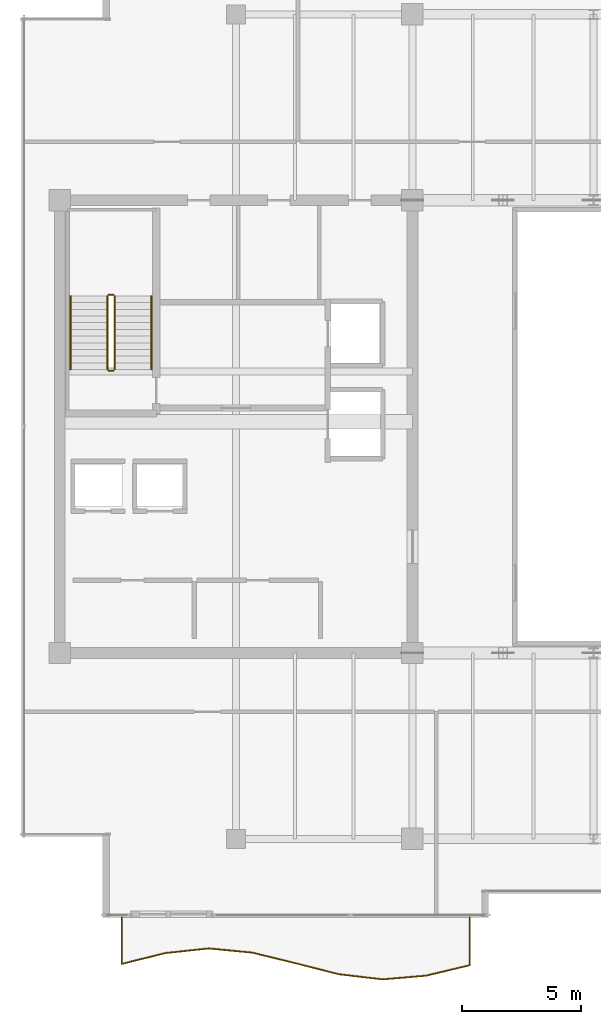
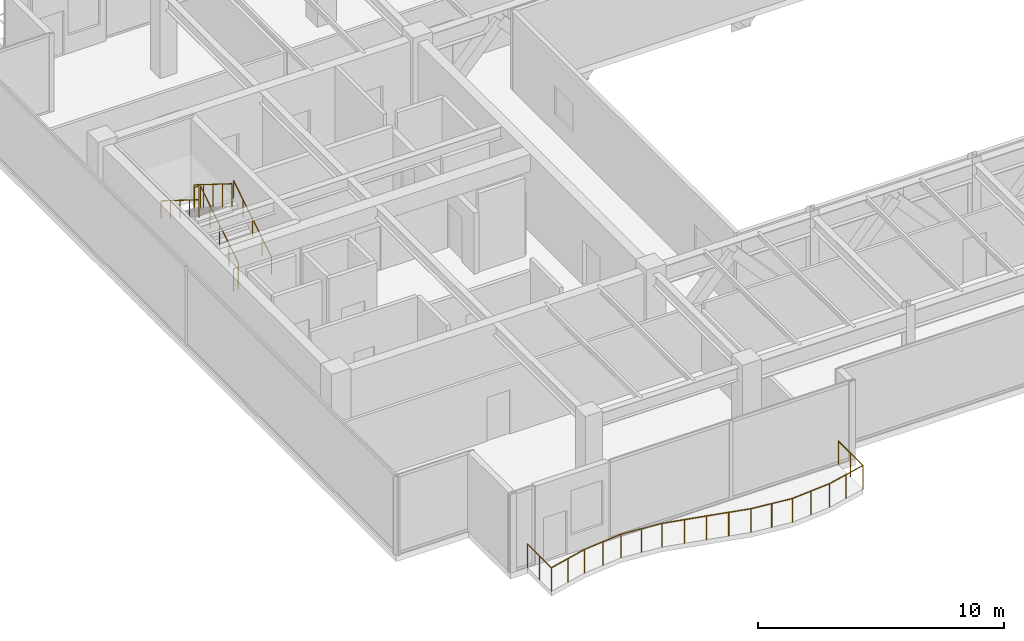
# One storey, part 29 of 31: 7 railings.
"""IFC4 building model written with IfcOpenShell, lengths in metres."""

from ifc_helpers import new_model, si_unit, direction, frame, origin, origin_2d, place, context, subcontext, project, spatial, circle, extrude, source, transform, mapped, material, type_object, type_shapes, element, save


model = new_model("IFC4")

# Units and contexts
model_context = context("Model", 3, precision=1e-05, world=origin(), true_north=direction((0.0, 1.0)))
body_context = subcontext(model_context, "Body", "Model", "MODEL_VIEW")
ifc_project = project(units=[si_unit("LENGTHUNIT", "METRE"), si_unit("AREAUNIT", "SQUARE_METRE"), si_unit("VOLUMEUNIT", "CUBIC_METRE"), si_unit("PLANEANGLEUNIT", "RADIAN"), si_unit("MASSUNIT", "GRAM", prefix="KILO")], contexts=[model_context])

# Site, building, storey
site_placement = place(None, origin())
site = spatial("IfcSite", under=ifc_project, at=site_placement, CompositionType="ELEMENT")
building_placement = place(site_placement, origin())
building = spatial("IfcBuilding", under=site, at=building_placement, Name="Haelvirn Gate Laboratories", CompositionType="ELEMENT")
storey_placement = place(building_placement, frame((0.0, 0.0, 310.199951171875)))
storey = spatial("IfcBuildingStorey", under=building, at=storey_placement, Name="L74", CompositionType="ELEMENT", Elevation=310.199951171875)

# Railings
ifc_material_1 = material(Name="Laminated safety glass & bronze stainless steel 316L", Category="steel")
railing_type_1 = type_object("IfcRailingType", Name="RLG-BAL-1200", PredefinedType="BALUSTRADE", material=ifc_material_1)
shared_shape_1 = source(origin(), body_context, "Body", "SweptSolid", [
    extrude(circle(Radius=0.02392578125, at=origin_2d()), frame((0.0, 0.0, 1.17578125), z_axis=(0.0, -1.0, 0.0), x_axis=(1.0, 0.0, 0.0)), (0.0, 0.0, 1.0), 1.949951171875),
    extrude(circle(Radius=0.02392578125, at=origin_2d()), frame((0.0, -1.949951171875, 1.17578125), z_axis=(0.970348322391, 0.241710846327, 0.0), x_axis=(-0.241710846327, 0.970348322391, 0.0)), (0.0, 0.0, 1.0), 1.880615234375),
    extrude(circle(Radius=0.02392578125, at=origin_2d()), frame((1.824951171875, -1.495361328125, 1.17578125), z_axis=(0.994321727658, 0.106415703294, 0.0), x_axis=(-0.106415703294, 0.994321727658, 0.0)), (0.0, 0.0, 1.0), 1.83544921875),
    extrude(circle(Radius=0.02392578125, at=origin_2d()), frame((3.64990234375, -1.300048828125, 1.17578125), z_axis=(0.995394380746, -0.095864627359, 0.0), x_axis=(0.095864627359, 0.995394380746, 0.0)), (0.0, 0.0, 1.0), 1.833740234375),
    extrude(circle(Radius=0.02392578125, at=origin_2d()), frame((5.47509765625, -1.475830078125, 1.17578125), z_axis=(0.971345695736, -0.237671073913, 0.0), x_axis=(0.237671073913, 0.971345695736, 0.0)), (0.0, 0.0, 1.0), 1.87890625),
    extrude(circle(Radius=0.02392578125, at=origin_2d()), frame((7.300048828125, -1.92236328125, 1.17578125), z_axis=(0.969398015515, -0.245494373695, 0.0), x_axis=(0.245494373695, 0.969398015515, 0.0)), (0.0, 0.0, 1.0), 1.882568359375),
    extrude(circle(Radius=0.02392578125, at=origin_2d()), frame((9.125, -2.384521484375, 1.17578125), z_axis=(0.993187738908, -0.11652517017, 0.0), x_axis=(0.11652517017, 0.993187738908, 0.0)), (0.0, 0.0, 1.0), 1.83740234375),
    extrude(circle(Radius=0.02392578125, at=origin_2d()), frame((10.949951171875, -2.5986328125, 1.17578125), z_axis=(0.99635474575, 0.085306627061, 0.0), x_axis=(-0.085306627061, 0.99635474575, 0.0)), (0.0, 0.0, 1.0), 1.83154296875),
    extrude(circle(Radius=0.02392578125, at=origin_2d()), frame((12.77490234375, -2.4423828125, 1.17578125), z_axis=(0.972482862063, 0.232974425623, 0.0), x_axis=(-0.232974425623, 0.972482862063, 0.0)), (0.0, 0.0, 1.0), 1.876953125),
    extrude(circle(Radius=0.02392578125, at=origin_2d()), frame((14.60009765625, -2.005126953125, 1.17578125), z_axis=(0.0, 1.0, 0.0), x_axis=(-1.0, 0.0, 0.0)), (0.0, 0.0, 1.0), 2.005126953125),
    extrude(circle(Radius=0.02099609375, at=origin_2d()), origin(), (0.0, 0.0, 1.0), 1.15185546875),
    extrude(circle(Radius=0.02099609375, at=origin_2d()), frame((0.0, -0.97509765625, 0.0)), (0.0, 0.0, 1.0), 1.15185546875),
    extrude(circle(Radius=0.02099609375, at=origin_2d()), frame((0.0, -1.949951171875, 0.0)), (0.0, 0.0, 1.0), 1.15185546875),
    extrude(circle(Radius=0.02099609375, at=origin_2d()), frame((0.91259765625, -1.72265625, 0.0)), (0.0, 0.0, 1.0), 1.15185546875),
    extrude(circle(Radius=0.02099609375, at=origin_2d()), frame((1.824951171875, -1.495361328125, 0.0)), (0.0, 0.0, 1.0), 1.15185546875),
    extrude(circle(Radius=0.02099609375, at=origin_2d()), frame((2.7373046875, -1.397705078125, 0.0)), (0.0, 0.0, 1.0), 1.15185546875),
    extrude(circle(Radius=0.02099609375, at=origin_2d()), frame((3.64990234375, -1.300048828125, 0.0)), (0.0, 0.0, 1.0), 1.15185546875),
    extrude(circle(Radius=0.02099609375, at=origin_2d()), frame((4.5625, -1.387939453125, 0.0)), (0.0, 0.0, 1.0), 1.15185546875),
    extrude(circle(Radius=0.02099609375, at=origin_2d()), frame((5.47509765625, -1.475830078125, 0.0)), (0.0, 0.0, 1.0), 1.15185546875),
    extrude(circle(Radius=0.02099609375, at=origin_2d()), frame((6.3876953125, -1.69921875, 0.0)), (0.0, 0.0, 1.0), 1.15185546875),
    extrude(circle(Radius=0.02099609375, at=origin_2d()), frame((7.300048828125, -1.92236328125, 0.0)), (0.0, 0.0, 1.0), 1.15185546875),
    extrude(circle(Radius=0.02099609375, at=origin_2d()), frame((8.21240234375, -2.1533203125, 0.0)), (0.0, 0.0, 1.0), 1.15185546875),
    extrude(circle(Radius=0.02099609375, at=origin_2d()), frame((9.125, -2.384521484375, 0.0)), (0.0, 0.0, 1.0), 1.15185546875),
    extrude(circle(Radius=0.02099609375, at=origin_2d()), frame((10.03759765625, -2.49169921875, 0.0)), (0.0, 0.0, 1.0), 1.15185546875),
    extrude(circle(Radius=0.02099609375, at=origin_2d()), frame((10.949951171875, -2.5986328125, 0.0)), (0.0, 0.0, 1.0), 1.15185546875),
    extrude(circle(Radius=0.02099609375, at=origin_2d()), frame((11.8623046875, -2.5205078125, 0.0)), (0.0, 0.0, 1.0), 1.15185546875),
    extrude(circle(Radius=0.02099609375, at=origin_2d()), frame((12.77490234375, -2.4423828125, 0.0)), (0.0, 0.0, 1.0), 1.15185546875),
    extrude(circle(Radius=0.02099609375, at=origin_2d()), frame((13.6875, -2.2236328125, 0.0)), (0.0, 0.0, 1.0), 1.15185546875),
    extrude(circle(Radius=0.02099609375, at=origin_2d()), frame((14.60009765625, -2.005126953125, 0.0)), (0.0, 0.0, 1.0), 1.15185546875),
    extrude(circle(Radius=0.02099609375, at=origin_2d()), frame((14.60009765625, -1.00244140625, 0.0)), (0.0, 0.0, 1.0), 1.15185546875),
    extrude(circle(Radius=0.02099609375, at=origin_2d()), frame((14.60009765625, 0.0, 0.0)), (0.0, 0.0, 1.0), 1.15185546875),
])
type_shapes(railing_type_1, [shared_shape_1])
railing_1_placement = place(storey_placement, frame((10.0, 3.699951171875, 0.0)))
element("IfcRailing", 1, at=railing_1_placement, inside=storey, type_object=railing_type_1, Name="L74 Wave Balcony Balustrade WL-S", PredefinedType="BALUSTRADE", context=body_context, shape_type="MappedRepresentation", body=[
    mapped(shared_shape_1, transform((0.0, 0.0, 0.0), scale=1.0)),
])
ifc_material_2 = material(Name="Galvanised steel SM355 & stainless top rail", Category="steel")
railing_type_2 = type_object("IfcRailingType", Name="RL-GUARD-1150", PredefinedType="GUARDRAIL", material=ifc_material_2)
shared_shape_2 = source(origin(), body_context, "Body", "SweptSolid", [
    extrude(circle(Radius=0.02392578125, at=origin_2d()), frame((0.0, 0.0, 1.1259765625), z_axis=(-1.0, 0.0, 0.0), x_axis=(0.0, -1.0, 0.0)), (0.0, 0.0, 1.0), 0.199951171875),
    extrude(circle(Radius=0.02099609375, at=origin_2d()), origin(), (0.0, 0.0, 1.0), 1.101806640625),
    extrude(circle(Radius=0.02099609375, at=origin_2d()), frame((-0.199951171875, 0.0, 0.0)), (0.0, 0.0, 1.0), 1.101806640625),
])
for number, where, name in (
    (2, (9.64990234375, 29.830078125, 2.10009765625), "L74 ST1 stair guard 2"),
    (3, (9.64990234375, 26.64990234375, 0.0), "L74 ST1 stair guard 4"),
):
    element("IfcRailing", number, at=place(storey_placement, frame(where)), inside=storey, type_object=railing_type_2, Name=name, PredefinedType="GUARDRAIL", context=body_context, shape_type="MappedRepresentation", body=[
        mapped(shared_shape_2, transform((0.0, 0.0, 0.0), scale=1.0)),
    ])
shared_shape_3 = source(origin(), body_context, "Body", "SweptSolid", [
    extrude(circle(Radius=0.02392578125, at=origin_2d()), frame((0.0, 0.0, 1.1259765625), z_axis=(0.0, 0.847998304005, 0.529998940003), x_axis=(-1.0, 0.0, 0.0)), (0.0, 0.0, 1.0), 3.632080078125),
    extrude(circle(Radius=0.02099609375, at=origin_2d()), origin(), (0.0, 0.0, 1.0), 1.101806640625),
    extrude(circle(Radius=0.02099609375, at=origin_2d()), frame((0.0, 0.77001953125, 0.481201171875)), (0.0, 0.0, 1.0), 1.101806640625),
    extrude(circle(Radius=0.02099609375, at=origin_2d()), frame((0.0, 1.5400390625, 0.96240234375)), (0.0, 0.0, 1.0), 1.101806640625),
    extrude(circle(Radius=0.02099609375, at=origin_2d()), frame((0.0, 2.31005859375, 1.44384765625)), (0.0, 0.0, 1.0), 1.101806640625),
    extrude(circle(Radius=0.02099609375, at=origin_2d()), frame((0.0, 3.080078125, 1.925048828125)), (0.0, 0.0, 1.0), 1.101806640625),
])
railing_2_placement = place(storey_placement, frame((9.699951171875, 26.699951171875, 0.175048828125)))
element("IfcRailing", 4, at=railing_2_placement, inside=storey, type_object=railing_type_2, Name="L74 ST1 stair guard 1", PredefinedType="GUARDRAIL", context=body_context, shape_type="MappedRepresentation", body=[
    mapped(shared_shape_3, transform((0.0, 0.0, 0.0), scale=1.0)),
])
ifc_material_3 = material(Name="Brushed stainless steel 316L", Category="steel")
railing_type_3 = type_object("IfcRailingType", Name="RL-HAND-920", PredefinedType="HANDRAIL", material=ifc_material_3)
shared_shape_4 = source(origin(), body_context, "Body", "SweptSolid", [
    extrude(circle(Radius=0.02392578125, at=origin_2d()), frame((0.0, 0.0, 0.8759765625), z_axis=(0.0, 0.847998304005, 0.529998940003), x_axis=(-1.0, 0.0, 0.0)), (0.0, 0.0, 1.0), 3.632080078125),
    extrude(circle(Radius=0.02099609375, at=origin_2d()), origin(), (0.0, 0.0, 1.0), 0.851806640625),
    extrude(circle(Radius=0.02099609375, at=origin_2d()), frame((0.0, 0.77001953125, 0.481201171875)), (0.0, 0.0, 1.0), 0.851806640625),
    extrude(circle(Radius=0.02099609375, at=origin_2d()), frame((0.0, 1.5400390625, 0.96240234375)), (0.0, 0.0, 1.0), 0.851806640625),
    extrude(circle(Radius=0.02099609375, at=origin_2d()), frame((0.0, 2.31005859375, 1.44384765625)), (0.0, 0.0, 1.0), 0.851806640625),
    extrude(circle(Radius=0.02099609375, at=origin_2d()), frame((0.0, 3.080078125, 1.925048828125)), (0.0, 0.0, 1.0), 0.851806640625),
])
railing_3_placement = place(storey_placement, frame((11.25, 26.699951171875, 0.175048828125)))
element("IfcRailing", 5, at=railing_3_placement, inside=storey, type_object=railing_type_3, Name="L74 ST1 stair handrail 1", PredefinedType="HANDRAIL", context=body_context, shape_type="MappedRepresentation", body=[
    mapped(shared_shape_4, transform((0.0, 0.0, 0.0), scale=1.0)),
])
shared_shape_5 = source(origin(), body_context, "Body", "SweptSolid", [
    extrude(circle(Radius=0.02392578125, at=origin_2d()), frame((0.0, 0.0, 1.1259765625), z_axis=(0.0, -0.848028513186, 0.529950602248), x_axis=(1.0, 0.0, 0.0)), (0.0, 0.0, 1.0), 3.632080078125),
    extrude(circle(Radius=0.02099609375, at=origin_2d()), origin(), (0.0, 0.0, 1.0), 1.101806640625),
    extrude(circle(Radius=0.02099609375, at=origin_2d()), frame((0.0, -0.77001953125, 0.481201171875)), (0.0, 0.0, 1.0), 1.101806640625),
    extrude(circle(Radius=0.02099609375, at=origin_2d()), frame((0.0, -1.5400390625, 0.96240234375)), (0.0, 0.0, 1.0), 1.101806640625),
    extrude(circle(Radius=0.02099609375, at=origin_2d()), frame((0.0, -2.31005859375, 1.443603515625)), (0.0, 0.0, 1.0), 1.101806640625),
    extrude(circle(Radius=0.02099609375, at=origin_2d()), frame((0.0, -3.080078125, 1.9248046875)), (0.0, 0.0, 1.0), 1.101806640625),
])
type_shapes(railing_type_2, [shared_shape_2, shared_shape_3, shared_shape_5])
railing_4_placement = place(storey_placement, frame((9.39990234375, 29.780029296875, 2.275146484375)))
element("IfcRailing", 6, at=railing_4_placement, inside=storey, type_object=railing_type_2, Name="L74 ST1 stair guard 3", PredefinedType="GUARDRAIL", context=body_context, shape_type="MappedRepresentation", body=[
    mapped(shared_shape_5, transform((0.0, 0.0, 0.0), scale=1.0)),
])
shared_shape_6 = source(origin(), body_context, "Body", "SweptSolid", [
    extrude(circle(Radius=0.02392578125, at=origin_2d()), frame((0.0, 0.0, 0.8759765625), z_axis=(0.0, -0.848028513186, 0.529950602248), x_axis=(1.0, 0.0, 0.0)), (0.0, 0.0, 1.0), 3.632080078125),
    extrude(circle(Radius=0.02099609375, at=origin_2d()), origin(), (0.0, 0.0, 1.0), 0.851806640625),
    extrude(circle(Radius=0.02099609375, at=origin_2d()), frame((0.0, -0.77001953125, 0.481201171875)), (0.0, 0.0, 1.0), 0.851806640625),
    extrude(circle(Radius=0.02099609375, at=origin_2d()), frame((0.0, -1.5400390625, 0.96240234375)), (0.0, 0.0, 1.0), 0.851806640625),
    extrude(circle(Radius=0.02099609375, at=origin_2d()), frame((0.0, -2.31005859375, 1.443603515625)), (0.0, 0.0, 1.0), 0.851806640625),
    extrude(circle(Radius=0.02099609375, at=origin_2d()), frame((0.0, -3.080078125, 1.9248046875)), (0.0, 0.0, 1.0), 0.851806640625),
])
type_shapes(railing_type_3, [shared_shape_4, shared_shape_6])
railing_5_placement = place(storey_placement, frame((7.85009765625, 29.780029296875, 2.275146484375)))
element("IfcRailing", 7, at=railing_5_placement, inside=storey, type_object=railing_type_3, Name="L74 ST1 stair handrail 2", PredefinedType="HANDRAIL", context=body_context, shape_type="MappedRepresentation", body=[
    mapped(shared_shape_6, transform((0.0, 0.0, 0.0), scale=1.0)),
])

save(model, "model.ifc")
